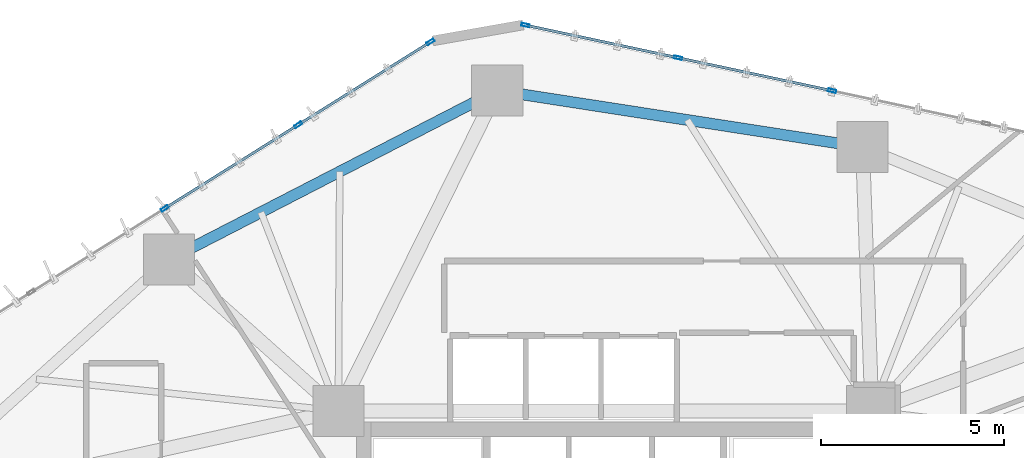
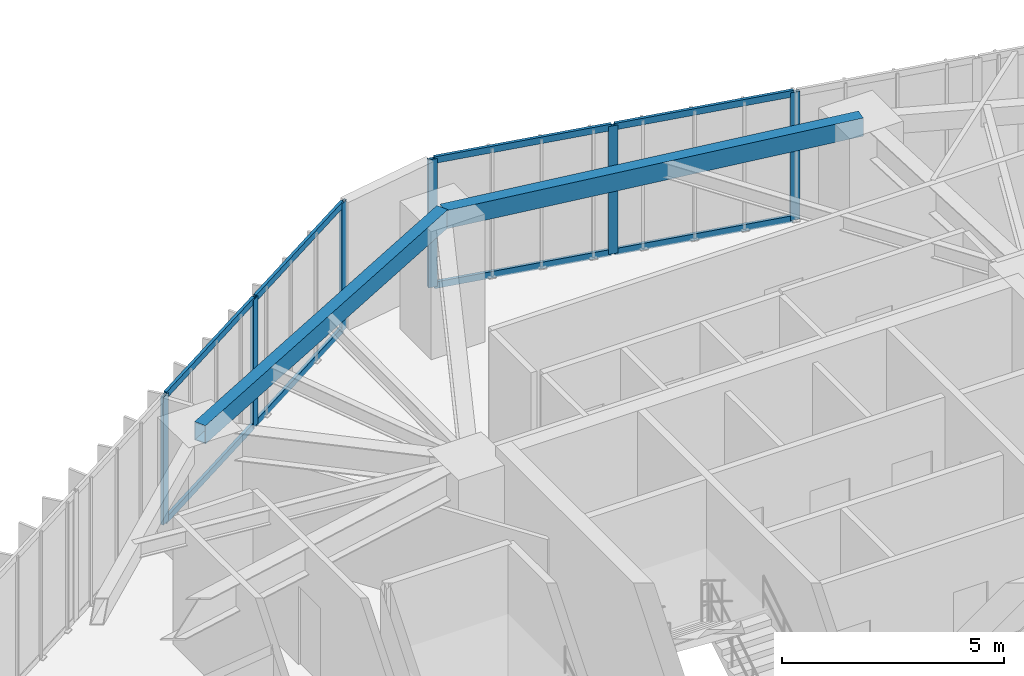
# One storey, part 14 of 22: 14 members, 2 beams, 2 elements without a shape of their own.
"""IFC4 building model written with IfcOpenShell, lengths in metres."""

from ifc_helpers import new_model, si_unit, direction, frame, origin, origin_2d, place, context, subcontext, project, spatial, hollow_rectangle, extrude, source, transform, mapped, material, layer, layer_set, material_profile, profile_set, type_object, type_shapes, element, aggregate, save


model = new_model("IFC4")

# Units and contexts
model_context = context("Model", 3, precision=1e-05, world=origin(), true_north=direction((0.0, 1.0)))
body_context = subcontext(model_context, "Body", "Model", "MODEL_VIEW")
ifc_project = project(units=[si_unit("LENGTHUNIT", "METRE"), si_unit("AREAUNIT", "SQUARE_METRE"), si_unit("VOLUMEUNIT", "CUBIC_METRE"), si_unit("PLANEANGLEUNIT", "RADIAN"), si_unit("MASSUNIT", "GRAM", prefix="KILO")], contexts=[model_context])

# Site, building, storey
site_placement = place(None, origin())
site = spatial("IfcSite", under=ifc_project, at=site_placement, CompositionType="ELEMENT")
building_placement = place(site_placement, origin())
building = spatial("IfcBuilding", under=site, at=building_placement, Name="Talar Marvaseh", CompositionType="ELEMENT")
storey_placement = place(building_placement, frame((0.0, 0.0, 54.39990234375)))
storey = spatial("IfcBuildingStorey", under=building, at=storey_placement, Name="L13", CompositionType="ELEMENT", Elevation=54.39990234375)

# Beams
ifc_material_1 = material(Name="Steel S355", Category="steel")
ifc_material_profile_1 = material_profile(ifc_material_1, hollow_rectangle(XDim=0.300048828125, YDim=0.5, WallThickness=0.02001953125, at=origin_2d()), Name="RHS500x300x20")
ifc_profile_set_1 = profile_set([ifc_material_profile_1], Name="Steel S355")
beam_type = type_object("IfcBeamType", Name="Zone 1 Perimeter Spandrel Beam RHS500x300x20", PredefinedType="SPANDREL", material=ifc_profile_set_1)
beam_1_placement = place(storey_placement, frame((14.069091796875, 41.04296875, 3.27001953125), z_axis=(0.889015710182, 0.457876694155, 0.0), x_axis=(-0.457876694155, 0.889015710182, 0.0)))
element("IfcBeam", 1, at=beam_1_placement, inside=storey, type_object=beam_type, Name="L13 Zone 1 Perimeter Spandrel Beam RHS500x300x20", PredefinedType="SPANDREL", context=body_context, shape_type="SweptSolid", body=[
    extrude(hollow_rectangle(XDim=0.300048828125, YDim=0.5, WallThickness=0.02001953125, at=origin_2d()), origin(), (0.0, 0.0, 1.0), 10.098876953125),
])
beam_2_placement = place(storey_placement, frame((23.047119140625, 45.6669921875, 3.27001953125), z_axis=(0.988210751461, -0.153099675693, 0.0), x_axis=(0.153099675693, 0.988210751461, 0.0)))
element("IfcBeam", 2, at=beam_2_placement, inside=storey, type_object=beam_type, Name="L13 Zone 1 Perimeter Spandrel Beam RHS500x300x20", PredefinedType="SPANDREL", context=body_context, shape_type="SweptSolid", body=[
    extrude(hollow_rectangle(XDim=0.300048828125, YDim=0.5, WallThickness=0.02001953125, at=origin_2d()), origin(), (0.0, 0.0, 1.0), 10.1181640625),
])

# Curtain wall, members
ifc_material_2 = material(Name="Architectural Aluminium", Category="aluminium")
ifc_layer = layer(ifc_material_2, 0.219970703125)
ifc_layer_set = layer_set([ifc_layer], Name="Architectural Aluminium")
curtain_wall_type = type_object("IfcCurtainWallType", Name="Unitised Low-E Museum Curtain Wall Z1", PredefinedType="NOTDEFINED", material=ifc_layer_set)
curtain_wall_1_placement = place(storey_placement, origin())
curtain_wall_1 = element("IfcCurtainWall", 3, at=curtain_wall_1_placement, inside=storey, type_object=curtain_wall_type, Name="L13 Unitised Low-E Museum Curtain Wall Z1", PredefinedType="NOTDEFINED")
ifc_material_profile_2 = material_profile(ifc_material_2, hollow_rectangle(XDim=0.080078125, YDim=0.219970703125, WallThickness=0.0048828125, at=origin_2d()), Name="RHS220x80x5")
ifc_profile_set_2 = profile_set([ifc_material_profile_2], Name="Architectural Aluminium")
member_type_1 = type_object("IfcMemberType", Name="Unitised Curtain Wall Heavy Mullion RHS220x80x5", PredefinedType="MULLION", material=ifc_profile_set_2)
shared_shape_1 = source(origin(), body_context, "Body", "SweptSolid", [
    extrude(hollow_rectangle(XDim=0.080078125, YDim=0.219970703125, WallThickness=0.0048828125, at=origin_2d()), origin(), (0.0, 0.0, 1.0), 3.52001953125),
])
type_shapes(member_type_1, [shared_shape_1])
member_1_placement = place(storey_placement, frame((13.949951171875, 42.440185546875, 0.0), z_axis=(0.0, 0.0, 1.0), x_axis=(-0.530926810321, 0.847417678646, 0.0)))
member_1 = element("IfcMember", 4, at=member_1_placement, type_object=member_type_1, Name="CW-Z1 mullion 3", PredefinedType="MULLION", context=body_context, shape_type="MappedRepresentation", body=[
    mapped(shared_shape_1, transform((0.0, 0.0, 0.0), x_axis=(1.0, 0.0, 0.0), y_axis=(0.0, 1.0, 0.0), z_axis=(0.0, 0.0, 1.0), scale=1.0)),
])
member_2_placement = place(storey_placement, frame((17.60400390625, 44.7294921875, 0.0), z_axis=(0.0, 0.0, 1.0), x_axis=(-0.530926810321, 0.847417678646, 0.0)))
member_2 = element("IfcMember", 5, at=member_2_placement, type_object=member_type_1, Name="CW-Z1 mullion 4", PredefinedType="MULLION", context=body_context, shape_type="MappedRepresentation", body=[
    mapped(shared_shape_1, transform((0.0, 0.0, 0.0), x_axis=(1.0, 0.0, 0.0), y_axis=(0.0, 1.0, 0.0), z_axis=(0.0, 0.0, 1.0), scale=1.0)),
])
member_3_placement = place(storey_placement, frame((21.22412109375, 46.99755859375, 0.0), z_axis=(0.0, 0.0, 1.0), x_axis=(-0.530926810321, 0.847417678646, 0.0)))
member_3 = element("IfcMember", 6, at=member_3_placement, type_object=member_type_1, Name="CW-Z1 mullion 5", PredefinedType="MULLION", context=body_context, shape_type="MappedRepresentation", body=[
    mapped(shared_shape_1, transform((0.0, 0.0, 0.0), x_axis=(1.0, 0.0, 0.0), y_axis=(0.0, 1.0, 0.0), z_axis=(0.0, 0.0, 1.0), scale=1.0)),
])

curtain_wall_2_placement = place(storey_placement, origin())
curtain_wall_2 = element("IfcCurtainWall", 7, at=curtain_wall_2_placement, inside=storey, type_object=curtain_wall_type, Name="L13 Unitised Low-E Museum Curtain Wall Z1", PredefinedType="NOTDEFINED")
member_4_placement = place(storey_placement, frame((23.8193359375, 47.455078125, 0.0), z_axis=(0.0, 0.0, 1.0), x_axis=(0.20907292534, 0.977900052096, 0.0)))
member_4 = element("IfcMember", 8, at=member_4_placement, type_object=member_type_1, Name="CW-Z1 mullion 1", PredefinedType="MULLION", context=body_context, shape_type="MappedRepresentation", body=[
    mapped(shared_shape_1, transform((0.0, 0.0, 0.0), x_axis=(1.0, 0.0, 0.0), y_axis=(0.0, 1.0, 0.0), z_axis=(0.0, 0.0, 1.0), scale=1.0)),
])
member_5_placement = place(storey_placement, frame((27.996826171875, 46.56201171875, 0.0), z_axis=(0.0, 0.0, 1.0), x_axis=(0.20907292534, 0.977900052096, 0.0)))
member_5 = element("IfcMember", 9, at=member_5_placement, type_object=member_type_1, Name="CW-Z1 mullion 2", PredefinedType="MULLION", context=body_context, shape_type="MappedRepresentation", body=[
    mapped(shared_shape_1, transform((0.0, 0.0, 0.0), x_axis=(1.0, 0.0, 0.0), y_axis=(0.0, 1.0, 0.0), z_axis=(0.0, 0.0, 1.0), scale=1.0)),
])
member_6_placement = place(storey_placement, frame((32.21337890625, 45.660400390625, 0.0), z_axis=(0.0, 0.0, 1.0), x_axis=(0.20907292534, 0.977900052096, 0.0)))
member_6 = element("IfcMember", 10, at=member_6_placement, type_object=member_type_1, Name="CW-Z1 mullion 3", PredefinedType="MULLION", context=body_context, shape_type="MappedRepresentation", body=[
    mapped(shared_shape_1, transform((0.0, 0.0, 0.0), x_axis=(1.0, 0.0, 0.0), y_axis=(0.0, 1.0, 0.0), z_axis=(0.0, 0.0, 1.0), scale=1.0)),
])

# Member
ifc_material_profile_3 = material_profile(ifc_material_2, hollow_rectangle(XDim=0.074951171875, YDim=0.179931640625, WallThickness=0.0048828125, at=origin_2d()), Name="RHS180x75x5")
ifc_profile_set_3 = profile_set([ifc_material_profile_3], Name="Architectural Aluminium")
member_type_2 = type_object("IfcMemberType", Name="Unitised Curtain Wall Transom RHS180x75x5", PredefinedType="USERDEFINED", material=ifc_profile_set_3)
shared_shape_2 = source(origin(), body_context, "Body", "SweptSolid", [
    extrude(hollow_rectangle(XDim=0.074951171875, YDim=0.179931640625, WallThickness=0.0048828125, at=origin_2d()), origin(), (0.0, 0.0, 1.0), 4.19189453125),
])
member_7_placement = place(storey_placement, frame((17.637939453125, 44.750732421875, 0.03759765625), z_axis=(0.847415375925, 0.5309304857, 0.0), x_axis=(-0.5309304857, 0.847415375925, 0.0)))
member_7 = element("IfcMember", 11, at=member_7_placement, type_object=member_type_2, Name="CW-Z1 transom 4.1", ObjectType="TRANSOM", PredefinedType="USERDEFINED", context=body_context, shape_type="MappedRepresentation", body=[
    mapped(shared_shape_2, transform((0.0, 0.0, 0.0), x_axis=(1.0, 0.0, 0.0), y_axis=(0.0, 1.0, 0.0), z_axis=(0.0, 0.0, 1.0), scale=1.0)),
])

member_8_placement = place(storey_placement, frame((17.637939453125, 44.750732421875, 3.482666015625), z_axis=(0.847415375925, 0.5309304857, 0.0), x_axis=(-0.5309304857, 0.847415375925, 0.0)))
member_8 = element("IfcMember", 12, at=member_8_placement, type_object=member_type_2, Name="CW-Z1 transom 4.2", ObjectType="TRANSOM", PredefinedType="USERDEFINED", context=body_context, shape_type="MappedRepresentation", body=[
    mapped(shared_shape_2, transform((0.0, 0.0, 0.0), x_axis=(1.0, 0.0, 0.0), y_axis=(0.0, 1.0, 0.0), z_axis=(0.0, 0.0, 1.0), scale=1.0)),
])

member_9_placement = place(storey_placement, frame((23.8583984375, 47.44677734375, 0.03759765625), z_axis=(0.977898618952, -0.209079628494, 0.0), x_axis=(0.209079628494, 0.977898618952, 0.0)))
member_9 = element("IfcMember", 13, at=member_9_placement, type_object=member_type_2, Name="CW-Z1 transom 1.1", ObjectType="TRANSOM", PredefinedType="USERDEFINED", context=body_context, shape_type="MappedRepresentation", body=[
    mapped(shared_shape_2, transform((0.0, 0.0, 0.0), x_axis=(1.0, 0.0, 0.0), y_axis=(0.0, 1.0, 0.0), z_axis=(0.0, 0.0, 1.0), scale=1.0)),
])

member_10_placement = place(storey_placement, frame((23.8583984375, 47.44677734375, 3.482666015625), z_axis=(0.977898618952, -0.209079628494, 0.0), x_axis=(0.209079628494, 0.977898618952, 0.0)))
member_10 = element("IfcMember", 14, at=member_10_placement, type_object=member_type_2, Name="CW-Z1 transom 1.2", ObjectType="TRANSOM", PredefinedType="USERDEFINED", context=body_context, shape_type="MappedRepresentation", body=[
    mapped(shared_shape_2, transform((0.0, 0.0, 0.0), x_axis=(1.0, 0.0, 0.0), y_axis=(0.0, 1.0, 0.0), z_axis=(0.0, 0.0, 1.0), scale=1.0)),
])

shared_shape_3 = source(origin(), body_context, "Body", "SweptSolid", [
    extrude(hollow_rectangle(XDim=0.074951171875, YDim=0.179931640625, WallThickness=0.0048828125, at=origin_2d()), origin(), (0.0, 0.0, 1.0), 4.23193359375),
])
type_shapes(member_type_2, [shared_shape_2, shared_shape_3])
member_11_placement = place(storey_placement, frame((13.98388671875, 42.46142578125, 0.03759765625), z_axis=(0.847417648636, 0.53092685822, 0.0), x_axis=(-0.53092685822, 0.847417648636, 0.0)))
member_11 = element("IfcMember", 15, at=member_11_placement, type_object=member_type_2, Name="CW-Z1 transom 3.1", ObjectType="TRANSOM", PredefinedType="USERDEFINED", context=body_context, shape_type="MappedRepresentation", body=[
    mapped(shared_shape_3, transform((0.0, 0.0, 0.0), x_axis=(1.0, 0.0, 0.0), y_axis=(0.0, 1.0, 0.0), z_axis=(0.0, 0.0, 1.0), scale=1.0)),
])

member_12_placement = place(storey_placement, frame((13.98388671875, 42.46142578125, 3.482666015625), z_axis=(0.847417648636, 0.53092685822, 0.0), x_axis=(-0.53092685822, 0.847417648636, 0.0)))
member_12 = element("IfcMember", 16, at=member_12_placement, type_object=member_type_2, Name="CW-Z1 transom 3.2", ObjectType="TRANSOM", PredefinedType="USERDEFINED", context=body_context, shape_type="MappedRepresentation", body=[
    mapped(shared_shape_3, transform((0.0, 0.0, 0.0), x_axis=(1.0, 0.0, 0.0), y_axis=(0.0, 1.0, 0.0), z_axis=(0.0, 0.0, 1.0), scale=1.0)),
])

aggregate(curtain_wall_1, [member_1, member_2, member_3, member_11, member_12, member_7, member_8])

member_13_placement = place(storey_placement, frame((28.035888671875, 46.5537109375, 0.03759765625), z_axis=(0.977901081749, -0.209068109271, 0.0), x_axis=(0.209068109271, 0.977901081749, 0.0)))
member_13 = element("IfcMember", 17, at=member_13_placement, type_object=member_type_2, Name="CW-Z1 transom 2.1", ObjectType="TRANSOM", PredefinedType="USERDEFINED", context=body_context, shape_type="MappedRepresentation", body=[
    mapped(shared_shape_3, transform((0.0, 0.0, 0.0), x_axis=(1.0, 0.0, 0.0), y_axis=(0.0, 1.0, 0.0), z_axis=(0.0, 0.0, 1.0), scale=1.0)),
])

member_14_placement = place(storey_placement, frame((28.035888671875, 46.5537109375, 3.482666015625), z_axis=(0.977901081749, -0.209068109271, 0.0), x_axis=(0.209068109271, 0.977901081749, 0.0)))
member_14 = element("IfcMember", 18, at=member_14_placement, type_object=member_type_2, Name="CW-Z1 transom 2.2", ObjectType="TRANSOM", PredefinedType="USERDEFINED", context=body_context, shape_type="MappedRepresentation", body=[
    mapped(shared_shape_3, transform((0.0, 0.0, 0.0), x_axis=(1.0, 0.0, 0.0), y_axis=(0.0, 1.0, 0.0), z_axis=(0.0, 0.0, 1.0), scale=1.0)),
])

aggregate(curtain_wall_2, [member_4, member_5, member_6, member_9, member_10, member_13, member_14])

save(model, "model.ifc")
